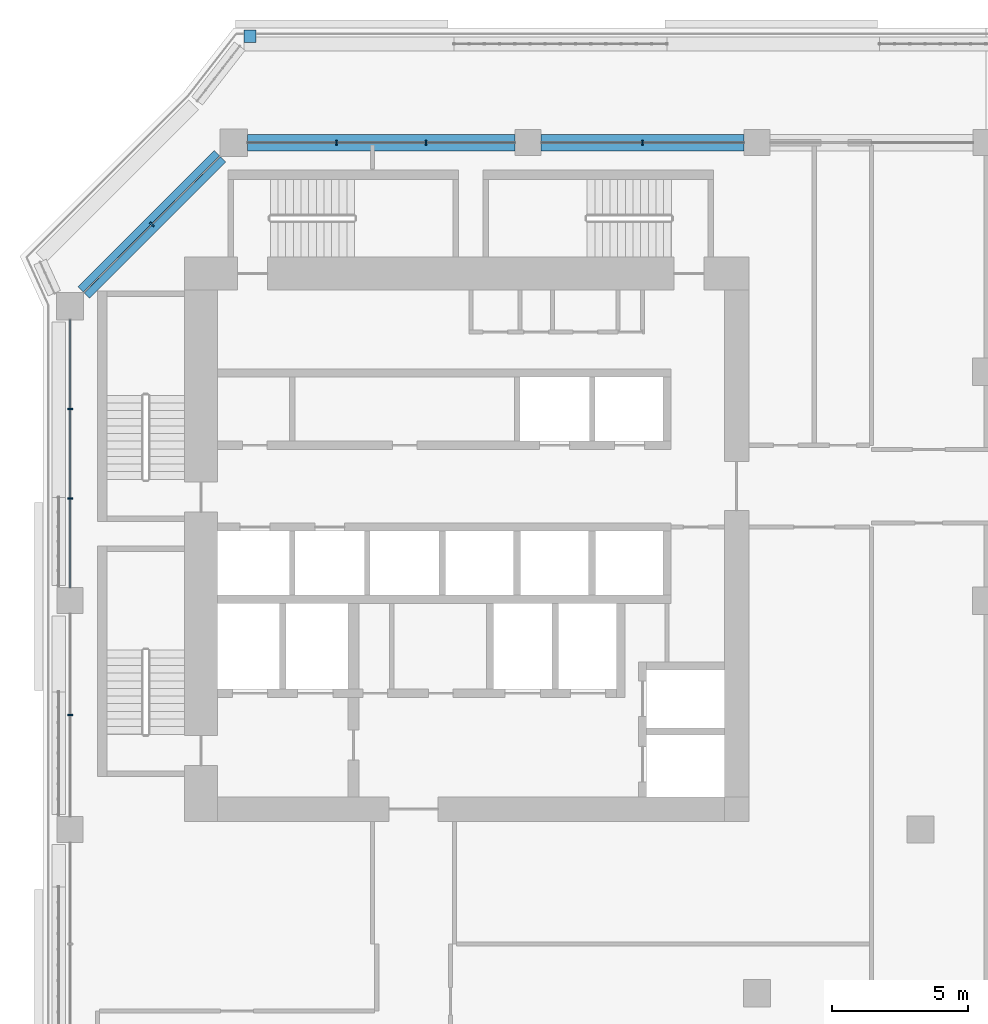
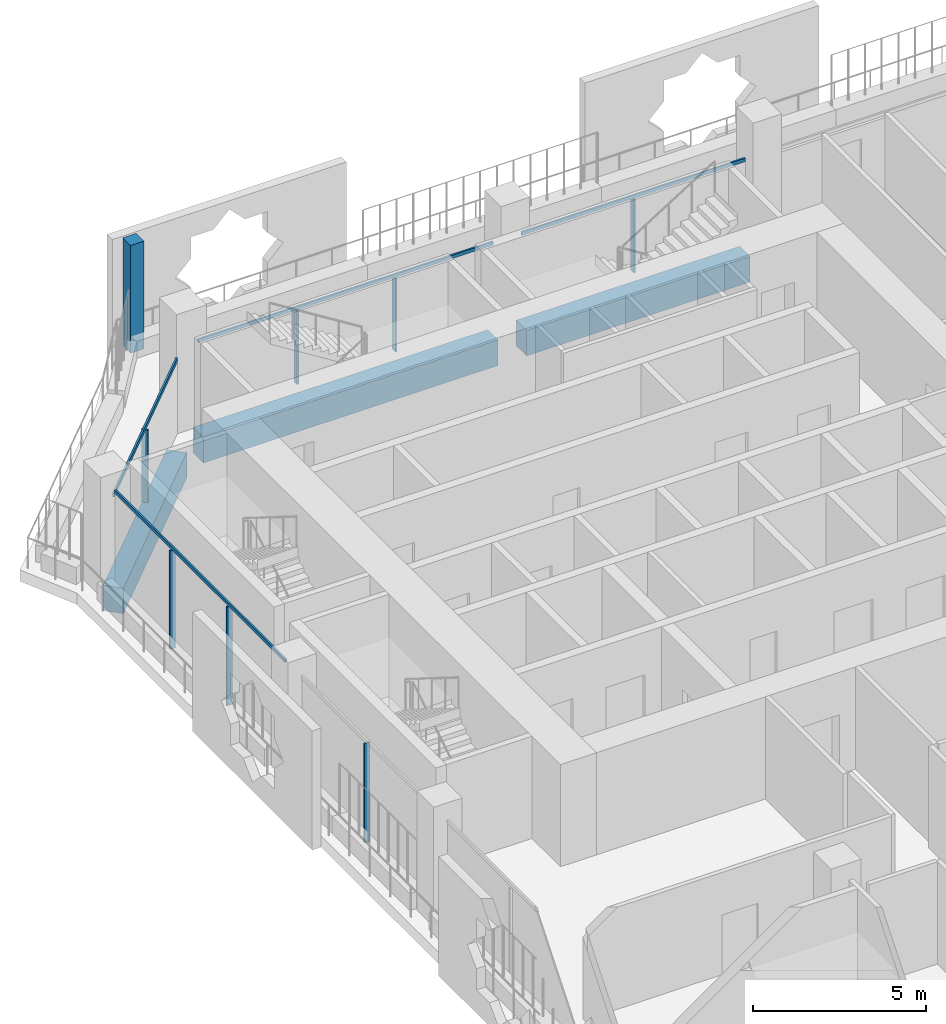
# One storey, part 5 of 21: 12 members, 3 beams, 4 elements without a shape of their own.
"""IFC4 building model written with IfcOpenShell, lengths in metres."""

from ifc_helpers import new_model, si_unit, direction, frame, origin, origin_2d, place, context, subcontext, project, spatial, rectangle, extrude, material, layer, layer_set, material_profile, profile_set, type_object, element, aggregate, save


model = new_model("IFC4")

# Units and contexts
model_context = context("Model", 3, precision=1e-05, world=origin(), true_north=direction((0.0, 1.0)))
body_context = subcontext(model_context, "Body", "Model", "MODEL_VIEW")
ifc_project = project(units=[si_unit("LENGTHUNIT", "METRE"), si_unit("AREAUNIT", "SQUARE_METRE"), si_unit("VOLUMEUNIT", "CUBIC_METRE"), si_unit("PLANEANGLEUNIT", "RADIAN"), si_unit("MASSUNIT", "GRAM", prefix="KILO")], contexts=[model_context])

# Site, building, storey
site_placement = place(None, origin())
site = spatial("IfcSite", under=ifc_project, at=site_placement, CompositionType="ELEMENT")
building_placement = place(site_placement, origin())
building = spatial("IfcBuilding", under=site, at=building_placement, Name="Kawkab Arch Medical Tower", CompositionType="ELEMENT")
storey_placement = place(building_placement, frame((0.0, 0.0, 192.0)))
storey = spatial("IfcBuildingStorey", under=building, at=storey_placement, Name="L44", CompositionType="ELEMENT", Elevation=192.0)

# Curtain wall, members
ifc_material_1 = material(Name="Bronze anodised aluminium curtain wall frame", Category="aluminium")
ifc_layer_1 = layer(ifc_material_1, 0.159912109375)
ifc_layer_set_1 = layer_set([ifc_layer_1], Name="Bronze anodised aluminium curtain wall frame")
curtain_wall_type_1 = type_object("IfcCurtainWallType", Name="CW1 ward curtain wall", PredefinedType="NOTDEFINED", material=ifc_layer_set_1)
placement = place(storey_placement, origin())
curtain_wall_1 = element("IfcCurtainWall", 1, at=placement, inside=storey, type_object=curtain_wall_type_1, Name="CW1 Ward curtain wall R01", PredefinedType="NOTDEFINED")
ifc_material_2 = material(Name="Bronze anodised aluminium curtain wall frame", Category="aluminium")
ifc_material_profile_1 = material_profile(ifc_material_2, rectangle(XDim=0.179931640625, YDim=0.06005859375, at=origin_2d()), Name="AL 60x180")
ifc_profile_set_1 = profile_set([ifc_material_profile_1], Name="Bronze anodised aluminium curtain wall frame")
member_type_1 = type_object("IfcMemberType", Name="CW1 mullion 60 x 180", PredefinedType="MULLION", material=ifc_profile_set_1)
member_1_placement = place(storey_placement, frame((0.0, -9.77490234375, 0.0), z_axis=(0.0, 0.0, 1.0), x_axis=(1.0, 0.0, 0.0)))
member_1 = element("IfcMember", 2, at=member_1_placement, type_object=member_type_1, Name="CW1 mullion 1.1", PredefinedType="MULLION", context=body_context, shape_type="SweptSolid", body=[
    extrude(rectangle(XDim=0.179931640625, YDim=0.06005859375, at=origin_2d()), origin(), (0.0, 0.0, 1.0), 3.47998046875),
])
member_2_placement = place(storey_placement, frame((0.0, -13.050048828125, 0.0), z_axis=(0.0, 0.0, 1.0), x_axis=(1.0, 0.0, 0.0)))
member_2 = element("IfcMember", 3, at=member_2_placement, type_object=member_type_1, Name="CW1 mullion 1.2", PredefinedType="MULLION", context=body_context, shape_type="SweptSolid", body=[
    extrude(rectangle(XDim=0.179931640625, YDim=0.06005859375, at=origin_2d()), origin(), (0.0, 0.0, 1.0), 3.47998046875),
])
member_3_placement = place(storey_placement, frame((0.0, -21.0, 0.0), z_axis=(0.0, 0.0, 1.0), x_axis=(1.0, 0.0, 0.0)))
member_3 = element("IfcMember", 4, at=member_3_placement, type_object=member_type_1, Name="CW1 mullion 2.1", PredefinedType="MULLION", context=body_context, shape_type="SweptSolid", body=[
    extrude(rectangle(XDim=0.179931640625, YDim=0.06005859375, at=origin_2d()), origin(), (0.0, 0.0, 1.0), 3.47998046875),
])

curtain_wall_2 = element("IfcCurtainWall", 5, at=placement, inside=storey, type_object=curtain_wall_type_1, Name="CW1 Ward curtain wall R11", PredefinedType="NOTDEFINED")
member_4_placement = place(storey_placement, frame((21.0, 0.0, 0.0), z_axis=(0.0, 0.0, 1.0), x_axis=(0.0, -1.0, 0.0)))
member_4 = element("IfcMember", 6, at=member_4_placement, type_object=member_type_1, Name="CW1 mullion 5.1", PredefinedType="MULLION", context=body_context, shape_type="SweptSolid", body=[
    extrude(rectangle(XDim=0.179931640625, YDim=0.06005859375, at=origin_2d()), origin(), (0.0, 0.0, 1.0), 2.580078125),
])
member_5_placement = place(storey_placement, frame((13.050048828125, 0.0, 0.0), z_axis=(0.0, 0.0, 1.0), x_axis=(0.0, -1.0, 0.0)))
member_5 = element("IfcMember", 7, at=member_5_placement, type_object=member_type_1, Name="CW1 mullion 6.1", PredefinedType="MULLION", context=body_context, shape_type="SweptSolid", body=[
    extrude(rectangle(XDim=0.179931640625, YDim=0.06005859375, at=origin_2d()), origin(), (0.0, 0.0, 1.0), 2.580078125),
])
member_6_placement = place(storey_placement, frame((9.77490234375, 0.0, 0.0), z_axis=(0.0, 0.0, 1.0), x_axis=(0.0, -1.0, 0.0)))
member_6 = element("IfcMember", 8, at=member_6_placement, type_object=member_type_1, Name="CW1 mullion 6.2", PredefinedType="MULLION", context=body_context, shape_type="SweptSolid", body=[
    extrude(rectangle(XDim=0.179931640625, YDim=0.06005859375, at=origin_2d()), origin(), (0.0, 0.0, 1.0), 2.580078125),
])

# Member
ifc_material_3 = material(Name="Bronze anodised aluminium curtain wall frame", Category="aluminium")
ifc_material_profile_2 = material_profile(ifc_material_3, rectangle(XDim=0.06005859375, YDim=0.1201171875, at=origin_2d()), Name="AL 60x120")
ifc_profile_set_2 = profile_set([ifc_material_profile_2], Name="Bronze anodised aluminium curtain wall frame")
member_type_2 = type_object("IfcMemberType", Name="CW1 transom 120 x 60", PredefinedType="USERDEFINED", material=ifc_profile_set_2)
member_7_placement = place(storey_placement, frame((0.0, -6.5, 3.5400390625), z_axis=(0.0, -1.0, 0.0), x_axis=(1.0, 0.0, 0.0)))
member_7 = element("IfcMember", 9, at=member_7_placement, type_object=member_type_2, Name="CW1 transom 1", ObjectType="TRANSOM", PredefinedType="USERDEFINED", context=body_context, shape_type="SweptSolid", body=[
    extrude(rectangle(XDim=0.06005859375, YDim=0.1201171875, at=origin_2d()), origin(), (0.0, 0.0, 1.0), 9.824951171875),
])

aggregate(curtain_wall_1, [member_7, member_1, member_2, member_3])

member_8_placement = place(storey_placement, frame((24.72509765625, 0.0, 2.639892578125), z_axis=(-1.0, 0.0, 0.0), x_axis=(0.0, -1.0, 0.0)))
member_8 = element("IfcMember", 10, at=member_8_placement, type_object=member_type_2, Name="CW1 transom 5", ObjectType="TRANSOM", PredefinedType="USERDEFINED", context=body_context, shape_type="SweptSolid", body=[
    extrude(rectangle(XDim=0.06005859375, YDim=0.1201171875, at=origin_2d()), origin(), (0.0, 0.0, 1.0), 7.4501953125),
])

member_9_placement = place(storey_placement, frame((16.324951171875, 0.0, 2.639892578125), z_axis=(-1.0, 0.0, 0.0), x_axis=(0.0, -1.0, 0.0)))
member_9 = element("IfcMember", 11, at=member_9_placement, type_object=member_type_2, Name="CW1 transom 6", ObjectType="TRANSOM", PredefinedType="USERDEFINED", context=body_context, shape_type="SweptSolid", body=[
    extrude(rectangle(XDim=0.06005859375, YDim=0.1201171875, at=origin_2d()), origin(), (0.0, 0.0, 1.0), 9.824951171875),
])

aggregate(curtain_wall_2, [member_8, member_4, member_9, member_5, member_6])

# Curtain wall, members
ifc_material_4 = material(Name="Bronze anodised aluminium curtain wall frame", Category="aluminium")
ifc_layer_2 = layer(ifc_material_4, 0.159912109375)
ifc_layer_set_2 = layer_set([ifc_layer_2], Name="Bronze anodised aluminium curtain wall frame")
curtain_wall_type_2 = type_object("IfcCurtainWallType", Name="CW2 chamfer curtain wall", PredefinedType="NOTDEFINED", material=ifc_layer_set_2)
curtain_wall_3 = element("IfcCurtainWall", 12, at=placement, inside=storey, type_object=curtain_wall_type_2, Name="CW2 Chamfer curtain wall R12", PredefinedType="NOTDEFINED")
ifc_material_5 = material(Name="Bronze anodised aluminium curtain wall frame", Category="aluminium")
ifc_material_profile_3 = material_profile(ifc_material_5, rectangle(XDim=0.199951171875, YDim=0.06005859375, at=origin_2d()), Name="AL 60x200")
ifc_profile_set_3 = profile_set([ifc_material_profile_3], Name="Bronze anodised aluminium curtain wall frame")
member_type_3 = type_object("IfcMemberType", Name="CW2 mullion 60 x 200", PredefinedType="MULLION", material=ifc_profile_set_3)
member_10_placement = place(storey_placement, frame((3.0, -3.0, 0.0), z_axis=(0.0, 0.0, 1.0), x_axis=(0.707106781187, -0.707106781187, 0.0)))
member_10 = element("IfcMember", 13, at=member_10_placement, type_object=member_type_3, Name="CW2 mullion 1.1", PredefinedType="MULLION", context=body_context, shape_type="SweptSolid", body=[
    extrude(rectangle(XDim=0.199951171875, YDim=0.06005859375, at=origin_2d()), origin(), (0.0, 0.0, 1.0), 2.56005859375),
])
ifc_material_6 = material(Name="Bronze anodised aluminium curtain wall frame", Category="aluminium")
ifc_material_profile_4 = material_profile(ifc_material_6, rectangle(XDim=0.06005859375, YDim=0.139892578125, at=origin_2d()), Name="AL 60x140")
ifc_profile_set_4 = profile_set([ifc_material_profile_4], Name="Bronze anodised aluminium curtain wall frame")
member_type_4 = type_object("IfcMemberType", Name="CW2 transom 140 x 60", PredefinedType="USERDEFINED", material=ifc_profile_set_4)
member_11_placement = place(storey_placement, frame((5.5, -0.5, 2.6298828125), z_axis=(-0.707106781187, -0.707106781187, 0.0), x_axis=(0.707106781187, -0.707106781187, 0.0)))
member_11 = element("IfcMember", 14, at=member_11_placement, type_object=member_type_4, Name="CW2 transom 1", ObjectType="TRANSOM", PredefinedType="USERDEFINED", context=body_context, shape_type="SweptSolid", body=[
    extrude(rectangle(XDim=0.06005859375, YDim=0.139892578125, at=origin_2d()), origin(), (0.0, 0.0, 1.0), 7.071044921875),
])
aggregate(curtain_wall_3, [member_11, member_10])

# Curtain wall, member
ifc_material_7 = material(Name="Bronze anodised aluminium climber frame, planted", Category="aluminium")
ifc_layer_3 = layer(ifc_material_7, 0.449951171875)
ifc_layer_set_3 = layer_set([ifc_layer_3], Name="Bronze anodised aluminium climber frame, planted")
curtain_wall_type_3 = type_object("IfcCurtainWallType", Name="Planted climber frame", PredefinedType="NOTDEFINED", material=ifc_layer_set_3)
curtain_wall_4 = element("IfcCurtainWall", 15, at=placement, inside=storey, type_object=curtain_wall_type_3, Name="Planted climber frame L44", PredefinedType="NOTDEFINED")
ifc_material_8 = material(Name="Bronze anodised aluminium climber frame, planted", Category="aluminium")
ifc_material_profile_5 = material_profile(ifc_material_8, rectangle(XDim=0.449951171875, YDim=0.449951171875, at=origin_2d()), Name="Post 450x450")
ifc_profile_set_5 = profile_set([ifc_material_profile_5], Name="Bronze anodised aluminium climber frame, planted")
member_type_5 = type_object("IfcMemberType", Name="Planted climber post 450 x 450", PredefinedType="MULLION", material=ifc_profile_set_5)
member_12_placement = place(storey_placement, frame((6.596923828125, 3.89990234375, 0.0), z_axis=(0.0, 0.0, 1.0), x_axis=(1.0, 0.0, 0.0)))
member_12 = element("IfcMember", 16, at=member_12_placement, type_object=member_type_5, Name="Planted climber post L44.LOG-01-01.1", PredefinedType="MULLION", context=body_context, shape_type="SweptSolid", body=[
    extrude(rectangle(XDim=0.449951171875, YDim=0.449951171875, at=origin_2d()), origin(), (0.0, 0.0, 1.0), 3.800048828125),
])
aggregate(curtain_wall_4, [member_12])

# Beams
ifc_material_9 = material(Name="Concrete C50/60", Category="concrete")
ifc_material_profile_6 = material_profile(ifc_material_9, rectangle(XDim=0.60009765625, YDim=0.89990234375, at=origin_2d()), Name="RC 600x900")
ifc_profile_set_6 = profile_set([ifc_material_profile_6], Name="Concrete C50/60")
beam_type = type_object("IfcBeamType", Name="RC 600x900 beam C50/60", PredefinedType="BEAM", material=ifc_profile_set_6)
beam_1_placement = place(storey_placement, frame((0.5, -5.5, -1.050048828125), z_axis=(0.707106781187, 0.707106781187, 0.0), x_axis=(-0.707106781187, 0.707106781187, 0.0)))
element("IfcBeam", 17, at=beam_1_placement, inside=storey, type_object=beam_type, Name="Overhang edge beam L44-01", PredefinedType="BEAM", context=body_context, shape_type="SweptSolid", body=[
    extrude(rectangle(XDim=0.60009765625, YDim=0.89990234375, at=origin_2d()), origin(), (0.0, 0.0, 1.0), 7.071044921875),
])
beam_2_placement = place(storey_placement, frame((6.5, 0.0, -1.050048828125), z_axis=(1.0, 0.0, 0.0), x_axis=(0.0, 1.0, 0.0)))
element("IfcBeam", 18, at=beam_2_placement, inside=storey, type_object=beam_type, Name="Overhang edge beam L44-02", PredefinedType="BEAM", context=body_context, shape_type="SweptSolid", body=[
    extrude(rectangle(XDim=0.60009765625, YDim=0.89990234375, at=origin_2d()), origin(), (0.0, 0.0, 1.0), 9.824951171875),
])
beam_3_placement = place(storey_placement, frame((17.27490234375, 0.0, -1.050048828125), z_axis=(1.0, 0.0, 0.0), x_axis=(0.0, 1.0, 0.0)))
element("IfcBeam", 19, at=beam_3_placement, inside=storey, type_object=beam_type, Name="Overhang edge beam L44-03", PredefinedType="BEAM", context=body_context, shape_type="SweptSolid", body=[
    extrude(rectangle(XDim=0.60009765625, YDim=0.89990234375, at=origin_2d()), origin(), (0.0, 0.0, 1.0), 7.4501953125),
])

save(model, "model.ifc")
